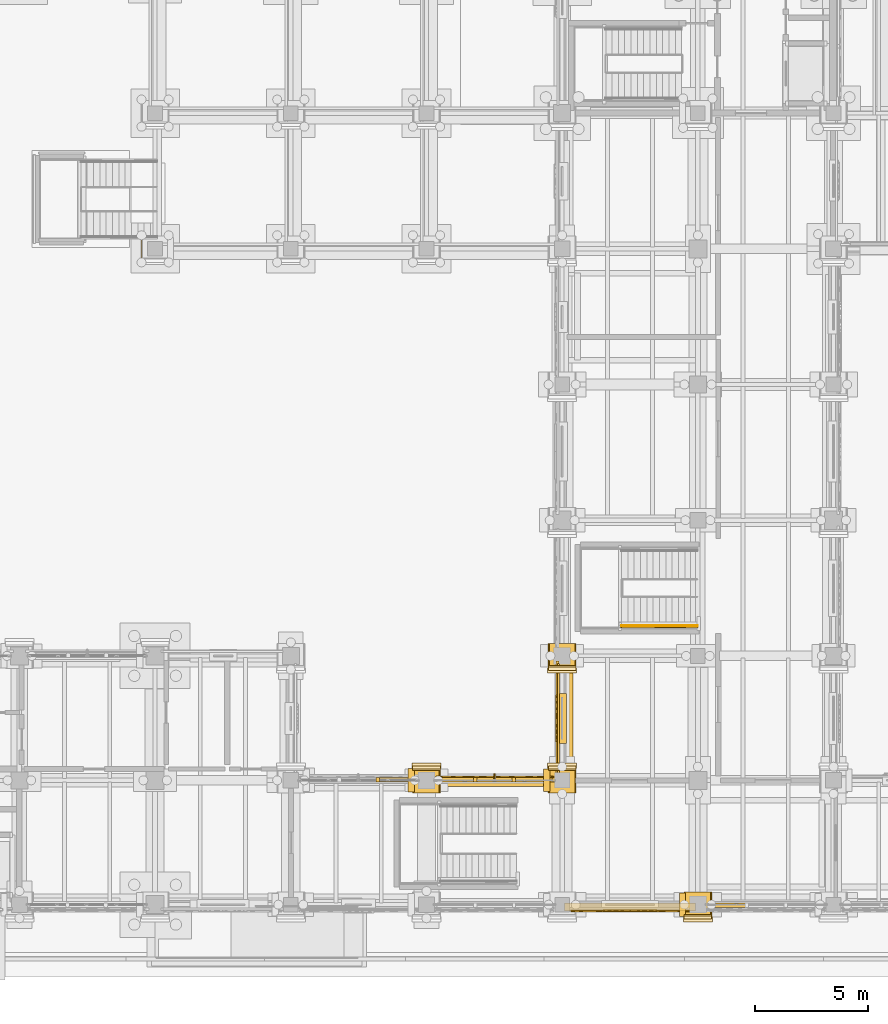
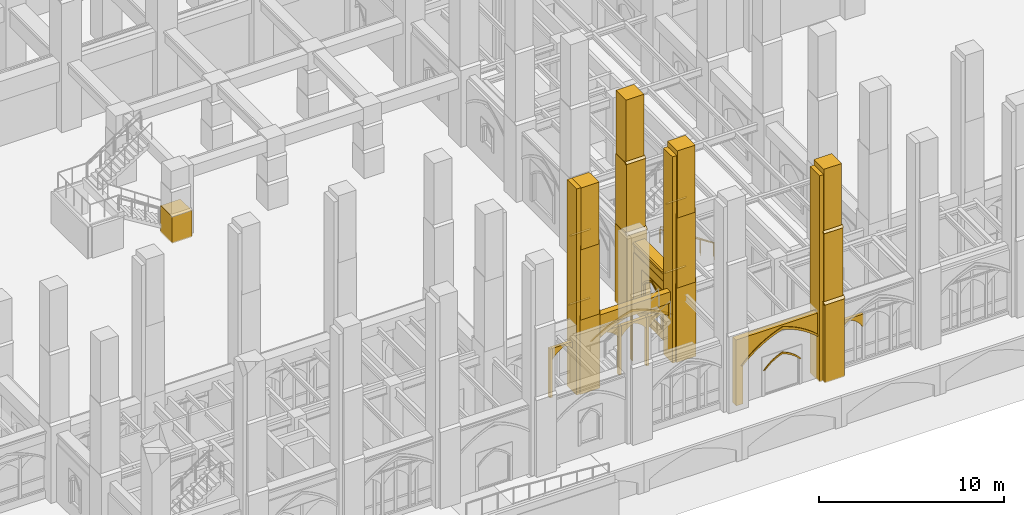
# One storey, part 83 of 135: 43 coverings, 2 railings, 1 shading device.
"""IFC4 building model written with IfcOpenShell, lengths in metres."""

from ifc_helpers import new_model, si_unit, direction, frame, origin, origin_2d, place, context, subcontext, project, spatial, polyline, rectangle, circle, outline, extrude, material, type_object, element, save


model = new_model("IFC4")

# Units and contexts
model_context = context("Model", 3, precision=1e-05, world=origin(), true_north=direction((0.0, 1.0)))
body_context = subcontext(model_context, "Body", "Model", "MODEL_VIEW")
ifc_project = project(units=[si_unit("LENGTHUNIT", "METRE"), si_unit("AREAUNIT", "SQUARE_METRE"), si_unit("VOLUMEUNIT", "CUBIC_METRE"), si_unit("PLANEANGLEUNIT", "RADIAN"), si_unit("MASSUNIT", "GRAM", prefix="KILO")], contexts=[model_context])

# Site, building, storey
site_placement = place(None, origin())
site = spatial("IfcSite", under=ifc_project, at=site_placement, CompositionType="ELEMENT")
building_placement = place(site_placement, origin())
building = spatial("IfcBuilding", under=site, at=building_placement, Name="Cumevento Cable Car Station", CompositionType="ELEMENT")
storey_placement = place(building_placement, origin())
storey = spatial("IfcBuildingStorey", under=building, at=storey_placement, Name="L01", CompositionType="ELEMENT", Elevation=0.0)

# Railings
ifc_material_1 = material(Name="Painted Galvanised Architectural Steel", Category="steel")
railing_type_1 = type_object("IfcRailingType", Name="Stair Guardrail GR-S115", PredefinedType="GUARDRAIL", material=ifc_material_1)
railing_1_placement = place(storey_placement, frame((63.97998046875, 16.260009765625, 0.0)))
element("IfcRailing", 1, at=railing_1_placement, inside=storey, type_object=railing_type_1, Name="Stair Outer Guardrail ST-09 F1", PredefinedType="GUARDRAIL", context=body_context, shape_type="SweptSolid", body=[
    extrude(circle(Radius=0.02392578125, at=origin_2d()), frame((0.0, 0.0, 1.1259765625), z_axis=(-0.830896709279, 0.0, 0.556426687452), x_axis=(0.0, -1.0, 0.0)), (0.0, 0.0, 1.0), 4.043701171875),
    extrude(circle(Radius=0.02001953125, at=origin_2d()), origin(), (0.0, 0.0, 1.0), 1.101806640625),
    extrude(circle(Radius=0.02001953125, at=origin_2d()), frame((-0.83984375, 0.0, 0.5625)), (0.0, 0.0, 1.0), 1.101806640625),
    extrude(circle(Radius=0.02001953125, at=origin_2d()), frame((-1.679931640625, 0.0, 1.125)), (0.0, 0.0, 1.0), 1.101806640625),
    extrude(circle(Radius=0.02001953125, at=origin_2d()), frame((-2.52001953125, 0.0, 1.6875)), (0.0, 0.0, 1.0), 1.101806640625),
    extrude(circle(Radius=0.02001953125, at=origin_2d()), frame((-3.35986328125, 0.0, 2.25)), (0.0, 0.0, 1.0), 1.101806640625),
])
ifc_material_2 = material(Name="Brushed Stainless Steel Handrail Tube", Category="steel")
railing_type_2 = type_object("IfcRailingType", Name="Stair Handrail HR-090", PredefinedType="HANDRAIL", material=ifc_material_2)
railing_2_placement = place(storey_placement, frame((63.97998046875, 16.340087890625, 0.17626953125)))
element("IfcRailing", 2, at=railing_2_placement, inside=storey, type_object=railing_type_2, Name="Stair Pitch Handrail ST-09 F1", PredefinedType="HANDRAIL", context=body_context, shape_type="SweptSolid", body=[
    extrude(circle(Radius=0.02099609375, at=origin_2d()), frame((0.0, 0.0, 0.87890625), z_axis=(-0.850606129759, 0.0, 0.525803396734), x_axis=(0.0, -1.0, 0.0)), (0.0, 0.0, 1.0), 3.949951171875),
    extrude(circle(Radius=0.01611328125, at=origin_2d()), origin(), (0.0, 0.0, 1.0), 0.85791015625),
    extrude(circle(Radius=0.01611328125, at=origin_2d()), frame((-0.83984375, 0.0, 0.519287109375)), (0.0, 0.0, 1.0), 0.85791015625),
    extrude(circle(Radius=0.01611328125, at=origin_2d()), frame((-1.679931640625, 0.0, 1.03857421875)), (0.0, 0.0, 1.0), 0.85791015625),
    extrude(circle(Radius=0.01611328125, at=origin_2d()), frame((-2.52001953125, 0.0, 1.5576171875)), (0.0, 0.0, 1.0), 0.85791015625),
    extrude(circle(Radius=0.01611328125, at=origin_2d()), frame((-3.35986328125, 0.0, 2.076904296875)), (0.0, 0.0, 1.0), 0.85791015625),
])

# Shading device
ifc_material_3 = material(Name="Anodised Bronze Aluminium AW-6063-T6", Category="aluminium")
shading_device_type = type_object("IfcShadingDeviceType", Name="Bronze Lancet Brise-Soleil BS-01", PredefinedType="JALOUSIE", material=ifc_material_3)
shading_device_placement = place(storey_placement, frame((55.012451171875, 9.679931640625, 0.52001953125), z_axis=(0.0, 0.0, 1.0), x_axis=(1.0, 0.0, 0.0)))
element("IfcShadingDevice", 3, at=shading_device_placement, inside=storey, type_object=shading_device_type, Name="Bronze Lancet Solar Fin #5", PredefinedType="JALOUSIE", context=body_context, shape_type="SweptSolid", body=[
    extrude(rectangle(XDim=0.054931640625, YDim=0.239990234375, at=origin_2d()), origin(), (0.0, 0.0, 1.0), 3.324951171875),
])

# Coverings
ifc_material_4 = material(Name="Gnaisse Facoidal Stone Ashlar 85 MPa", Category="masonry")
covering_type = type_object("IfcCoveringType", Name="Gnaisse Ashlar Cladding CV-CL01", PredefinedType="CLADDING", material=ifc_material_4)
covering_1_placement = place(storey_placement, frame((40.0, 32.93994140625, -0.06005859375), z_axis=(0.0, 0.0, 1.0), x_axis=(1.0, 0.0, 0.0)))
element("IfcCovering", 4, at=covering_1_placement, inside=storey, type_object=covering_type, Name="Stepped Gothic Stone Buttress Tier 1 bt:40.0:33.0", PredefinedType="CLADDING", context=body_context, shape_type="SweptSolid", body=[
    extrude(rectangle(XDim=1.239990234375, YDim=1.239990234375, at=origin_2d()), origin(), (0.0, 0.0, 1.0), 1.755615234375),
])
covering_2_placement = place(storey_placement, frame((52.0, 9.590087890625, -0.06005859375), z_axis=(0.0, 0.0, 1.0), x_axis=(-1.0, 0.0, 0.0)))
element("IfcCovering", 5, at=covering_2_placement, inside=storey, type_object=covering_type, Name="Stepped Gothic Stone Buttress Tier 1 bt:52.0:9.5", PredefinedType="CLADDING", context=body_context, shape_type="SweptSolid", body=[
    extrude(rectangle(XDim=1.239990234375, YDim=1.300048828125, at=origin_2d()), origin(), (0.0, 0.0, 1.0), 5.175537109375),
])
covering_3_placement = place(storey_placement, frame((52.639892578125, 10.260009765625, 5.095703125), z_axis=(0.0, 0.711135781079, 0.703054692658), x_axis=(-1.0, 0.0, 0.0)))
element("IfcCovering", 6, at=covering_3_placement, inside=storey, type_object=covering_type, Name="Gothic Buttress Sloped Stone Weathering 1 bt:52.0:9.5", PredefinedType="CLADDING", context=body_context, shape_type="SweptSolid", body=[
    extrude(outline(polyline([(0.0, 0.0), (1.27978515625, 0.0), (1.27978515625, 0.24169083397703695), (0.0, 0.24169083397703695), (0.0, 0.0)])), origin(), (0.0, 0.0, -1.0), 0.090087890625),
])
covering_4_placement = place(storey_placement, frame((52.0, 9.530029296875, 4.84326171875), z_axis=(0.0, 0.0, 1.0), x_axis=(-1.0, 0.0, 0.0)))
element("IfcCovering", 7, at=covering_4_placement, inside=storey, type_object=covering_type, Name="Stepped Gothic Stone Buttress Tier 2 bt:52.0:9.5", PredefinedType="CLADDING", context=body_context, shape_type="SweptSolid", body=[
    extrude(rectangle(XDim=1.179931640625, YDim=1.179931640625, at=origin_2d()), origin(), (0.0, 0.0, 1.0), 4.9033203125),
])
covering_5_placement = place(storey_placement, frame((52.610107421875, 10.139892578125, 9.726318359375), z_axis=(0.0, 0.714474823669, 0.699661151089), x_axis=(-1.0, 0.0, 0.0)))
element("IfcCovering", 8, at=covering_5_placement, inside=storey, type_object=covering_type, Name="Gothic Buttress Sloped Stone Weathering 2 bt:52.0:9.5", PredefinedType="CLADDING", context=body_context, shape_type="SweptSolid", body=[
    extrude(outline(polyline([(0.0, 0.0), (1.22021484375, 0.0), (1.22021484375, 0.21424991728737655), (0.0, 0.21424991728737655), (0.0, 0.0)])), origin(), (0.0, 0.0, -1.0), 0.090087890625),
])
covering_6_placement = place(storey_placement, frame((52.0, 9.47998046875, 9.47412109375), z_axis=(0.0, 0.0, 1.0), x_axis=(-1.0, 0.0, 0.0)))
element("IfcCovering", 9, at=covering_6_placement, inside=storey, type_object=covering_type, Name="Stepped Gothic Stone Buttress Tier 3 bt:52.0:9.5", PredefinedType="CLADDING", context=body_context, shape_type="SweptSolid", body=[
    extrude(rectangle(XDim=1.1201171875, YDim=1.080078125, at=origin_2d()), origin(), (0.0, 0.0, 1.0), 4.0859375),
])
covering_7_placement = place(storey_placement, frame((51.320068359375, 9.5, -0.06005859375), z_axis=(0.0, 0.0, 1.0), x_axis=(1.0, 0.0, 0.0)))
element("IfcCovering", 10, at=covering_7_placement, inside=storey, type_object=covering_type, Name="Corner Buttress Stone Return (52.0,9.5)", PredefinedType="CLADDING", context=body_context, shape_type="SweptSolid", body=[
    extrude(rectangle(XDim=0.280029296875, YDim=1.030029296875, at=origin_2d()), origin(), (0.0, 0.0, 1.0), 13.6201171875),
])
covering_8_placement = place(storey_placement, frame((58.0, 9.590087890625, -0.06005859375), z_axis=(0.0, 0.0, 1.0), x_axis=(-1.0, 0.0, 0.0)))
element("IfcCovering", 11, at=covering_8_placement, inside=storey, type_object=covering_type, Name="Stepped Gothic Stone Buttress Tier 1 bt:58.0:9.5", PredefinedType="CLADDING", context=body_context, shape_type="SweptSolid", body=[
    extrude(rectangle(XDim=1.239990234375, YDim=1.300048828125, at=origin_2d()), origin(), (0.0, 0.0, 1.0), 5.175537109375),
])
covering_9_placement = place(storey_placement, frame((58.639892578125, 10.260009765625, 5.095703125), z_axis=(0.0, 0.711135781079, 0.703054692658), x_axis=(-1.0, 0.0, 0.0)))
element("IfcCovering", 12, at=covering_9_placement, inside=storey, type_object=covering_type, Name="Gothic Buttress Sloped Stone Weathering 1 bt:58.0:9.5", PredefinedType="CLADDING", context=body_context, shape_type="SweptSolid", body=[
    extrude(outline(polyline([(0.0, 0.0), (1.27978515625, 0.0), (1.27978515625, 0.24169083397703695), (0.0, 0.24169083397703695), (0.0, 0.0)])), origin(), (0.0, 0.0, -1.0), 0.090087890625),
])
covering_10_placement = place(storey_placement, frame((58.0, 9.530029296875, 4.84326171875), z_axis=(0.0, 0.0, 1.0), x_axis=(-1.0, 0.0, 0.0)))
element("IfcCovering", 13, at=covering_10_placement, inside=storey, type_object=covering_type, Name="Stepped Gothic Stone Buttress Tier 2 bt:58.0:9.5", PredefinedType="CLADDING", context=body_context, shape_type="SweptSolid", body=[
    extrude(rectangle(XDim=1.179931640625, YDim=1.179931640625, at=origin_2d()), origin(), (0.0, 0.0, 1.0), 4.9033203125),
])
covering_11_placement = place(storey_placement, frame((58.610107421875, 10.139892578125, 9.726318359375), z_axis=(0.0, 0.714474823669, 0.699661151089), x_axis=(-1.0, 0.0, 0.0)))
element("IfcCovering", 14, at=covering_11_placement, inside=storey, type_object=covering_type, Name="Gothic Buttress Sloped Stone Weathering 2 bt:58.0:9.5", PredefinedType="CLADDING", context=body_context, shape_type="SweptSolid", body=[
    extrude(outline(polyline([(0.0, 0.0), (1.22021484375, 0.0), (1.22021484375, 0.21424991728737655), (0.0, 0.21424991728737655), (0.0, 0.0)])), origin(), (0.0, 0.0, -1.0), 0.090087890625),
])
covering_12_placement = place(storey_placement, frame((58.0, 9.47998046875, 9.47412109375), z_axis=(0.0, 0.0, 1.0), x_axis=(-1.0, 0.0, 0.0)))
element("IfcCovering", 15, at=covering_12_placement, inside=storey, type_object=covering_type, Name="Stepped Gothic Stone Buttress Tier 3 bt:58.0:9.5", PredefinedType="CLADDING", context=body_context, shape_type="SweptSolid", body=[
    extrude(rectangle(XDim=1.1201171875, YDim=1.080078125, at=origin_2d()), origin(), (0.0, 0.0, 1.0), 4.426025390625),
])
covering_13_placement = place(storey_placement, frame((57.320068359375, 9.5, -0.06005859375), z_axis=(0.0, 0.0, 1.0), x_axis=(1.0, 0.0, 0.0)))
element("IfcCovering", 16, at=covering_13_placement, inside=storey, type_object=covering_type, Name="Corner Buttress Stone Return (58.0,9.5)", PredefinedType="CLADDING", context=body_context, shape_type="SweptSolid", body=[
    extrude(rectangle(XDim=0.280029296875, YDim=0.97998046875, at=origin_2d()), origin(), (0.0, 0.0, 1.0), 13.6201171875),
])
covering_14_placement = place(storey_placement, frame((58.0, 14.909912109375, -0.06005859375), z_axis=(0.0, 0.0, 1.0), x_axis=(1.0, 0.0, 0.0)))
element("IfcCovering", 17, at=covering_14_placement, inside=storey, type_object=covering_type, Name="Stepped Gothic Stone Buttress Tier 1 bt:58.0:15.0", PredefinedType="CLADDING", context=body_context, shape_type="SweptSolid", body=[
    extrude(rectangle(XDim=1.239990234375, YDim=1.300048828125, at=origin_2d()), origin(), (0.0, 0.0, 1.0), 5.175537109375),
])
covering_15_placement = place(storey_placement, frame((57.360107421875, 14.239990234375, 5.095703125), z_axis=(0.0, -0.711135781079, 0.703054692658), x_axis=(1.0, 0.0, 0.0)))
element("IfcCovering", 18, at=covering_15_placement, inside=storey, type_object=covering_type, Name="Gothic Buttress Sloped Stone Weathering 1 bt:58.0:15.0", PredefinedType="CLADDING", context=body_context, shape_type="SweptSolid", body=[
    extrude(outline(polyline([(0.0, 0.0), (1.27978515625, 0.0), (1.27978515625, 0.24169083397703695), (0.0, 0.24169083397703695), (0.0, 0.0)])), origin(), (0.0, 0.0, -1.0), 0.090087890625),
])
covering_16_placement = place(storey_placement, frame((58.0, 14.969970703125, 4.84326171875), z_axis=(0.0, 0.0, 1.0), x_axis=(1.0, 0.0, 0.0)))
element("IfcCovering", 19, at=covering_16_placement, inside=storey, type_object=covering_type, Name="Stepped Gothic Stone Buttress Tier 2 bt:58.0:15.0", PredefinedType="CLADDING", context=body_context, shape_type="SweptSolid", body=[
    extrude(rectangle(XDim=1.179931640625, YDim=1.179931640625, at=origin_2d()), origin(), (0.0, 0.0, 1.0), 4.9033203125),
])
covering_17_placement = place(storey_placement, frame((57.389892578125, 14.360107421875, 9.726318359375), z_axis=(0.0, -0.714474823669, 0.699661151089), x_axis=(1.0, 0.0, 0.0)))
element("IfcCovering", 20, at=covering_17_placement, inside=storey, type_object=covering_type, Name="Gothic Buttress Sloped Stone Weathering 2 bt:58.0:15.0", PredefinedType="CLADDING", context=body_context, shape_type="SweptSolid", body=[
    extrude(outline(polyline([(0.0, 0.0), (1.22021484375, 0.0), (1.22021484375, 0.21424991728737655), (0.0, 0.21424991728737655), (0.0, 0.0)])), origin(), (0.0, 0.0, -1.0), 0.090087890625),
])
covering_18_placement = place(storey_placement, frame((58.0, 15.02001953125, 9.47412109375), z_axis=(0.0, 0.0, 1.0), x_axis=(1.0, 0.0, 0.0)))
element("IfcCovering", 21, at=covering_18_placement, inside=storey, type_object=covering_type, Name="Stepped Gothic Stone Buttress Tier 3 bt:58.0:15.0", PredefinedType="CLADDING", context=body_context, shape_type="SweptSolid", body=[
    extrude(rectangle(XDim=1.1201171875, YDim=1.080078125, at=origin_2d()), origin(), (0.0, 0.0, 1.0), 4.426025390625),
])
covering_19_placement = place(storey_placement, frame((64.0, 3.909912109375, -0.06005859375), z_axis=(0.0, 0.0, 1.0), x_axis=(1.0, 0.0, 0.0)))
element("IfcCovering", 22, at=covering_19_placement, inside=storey, type_object=covering_type, Name="Stepped Gothic Stone Buttress Tier 1 bt:64.0:4.0", PredefinedType="CLADDING", context=body_context, shape_type="SweptSolid", body=[
    extrude(rectangle(XDim=1.239990234375, YDim=1.300048828125, at=origin_2d()), origin(), (0.0, 0.0, 1.0), 5.175537109375),
])
covering_20_placement = place(storey_placement, frame((63.360107421875, 3.239990234375, 5.095703125), z_axis=(0.0, -0.711135781079, 0.703054692658), x_axis=(1.0, 0.0, 0.0)))
element("IfcCovering", 23, at=covering_20_placement, inside=storey, type_object=covering_type, Name="Gothic Buttress Sloped Stone Weathering 1 bt:64.0:4.0", PredefinedType="CLADDING", context=body_context, shape_type="SweptSolid", body=[
    extrude(outline(polyline([(0.0, 0.0), (1.27978515625, 0.0), (1.27978515625, 0.24169083397703695), (0.0, 0.24169083397703695), (0.0, 0.0)])), origin(), (0.0, 0.0, -1.0), 0.090087890625),
])
covering_21_placement = place(storey_placement, frame((64.0, 3.969970703125, 4.84326171875), z_axis=(0.0, 0.0, 1.0), x_axis=(1.0, 0.0, 0.0)))
element("IfcCovering", 24, at=covering_21_placement, inside=storey, type_object=covering_type, Name="Stepped Gothic Stone Buttress Tier 2 bt:64.0:4.0", PredefinedType="CLADDING", context=body_context, shape_type="SweptSolid", body=[
    extrude(rectangle(XDim=1.179931640625, YDim=1.179931640625, at=origin_2d()), origin(), (0.0, 0.0, 1.0), 4.9033203125),
])
covering_22_placement = place(storey_placement, frame((63.389892578125, 3.360107421875, 9.726318359375), z_axis=(0.0, -0.714474823669, 0.699661151089), x_axis=(1.0, 0.0, 0.0)))
element("IfcCovering", 25, at=covering_22_placement, inside=storey, type_object=covering_type, Name="Gothic Buttress Sloped Stone Weathering 2 bt:64.0:4.0", PredefinedType="CLADDING", context=body_context, shape_type="SweptSolid", body=[
    extrude(outline(polyline([(0.0, 0.0), (1.22021484375, 0.0), (1.22021484375, 0.21424991728737655), (0.0, 0.21424991728737655), (0.0, 0.0)])), origin(), (0.0, 0.0, -1.0), 0.090087890625),
])
covering_23_placement = place(storey_placement, frame((64.0, 4.02001953125, 9.47412109375), z_axis=(0.0, 0.0, 1.0), x_axis=(1.0, 0.0, 0.0)))
element("IfcCovering", 26, at=covering_23_placement, inside=storey, type_object=covering_type, Name="Stepped Gothic Stone Buttress Tier 3 bt:64.0:4.0", PredefinedType="CLADDING", context=body_context, shape_type="SweptSolid", body=[
    extrude(rectangle(XDim=1.1201171875, YDim=1.080078125, at=origin_2d()), origin(), (0.0, 0.0, 1.0), 4.426025390625),
])
covering_24_placement = place(storey_placement, frame((63.320068359375, 4.0, -0.06005859375), z_axis=(0.0, 0.0, 1.0), x_axis=(1.0, 0.0, 0.0)))
element("IfcCovering", 27, at=covering_24_placement, inside=storey, type_object=covering_type, Name="Corner Buttress Stone Return (64.0,4.0)", PredefinedType="CLADDING", context=body_context, shape_type="SweptSolid", body=[
    extrude(rectangle(XDim=0.280029296875, YDim=1.030029296875, at=origin_2d()), origin(), (0.0, 0.0, 1.0), 13.6201171875),
])
covering_25_placement = place(storey_placement, frame((55.012451171875, 9.409912109375, 3.784912109375), z_axis=(0.0, 0.0, 1.0), x_axis=(1.0, 0.0, 0.0)))
element("IfcCovering", 28, at=covering_25_placement, inside=storey, type_object=covering_type, Name="Gothic Stone Spandrel Stringcourse sc:0019", PredefinedType="CLADDING", context=body_context, shape_type="SweptSolid", body=[
    extrude(rectangle(XDim=5.3349609375, YDim=0.3798828125, at=origin_2d()), origin(), (0.0, 0.0, 1.0), 0.7470703125),
])
covering_26_placement = place(storey_placement, frame((58.14990234375, 12.237548828125, 3.784912109375), z_axis=(0.0, 0.0, 1.0), x_axis=(0.0, 1.0, 0.0)))
element("IfcCovering", 29, at=covering_26_placement, inside=storey, type_object=covering_type, Name="Gothic Stone Spandrel Stringcourse sc:0030", PredefinedType="CLADDING", context=body_context, shape_type="SweptSolid", body=[
    extrude(rectangle(XDim=5.014892578125, YDim=0.659912109375, at=origin_2d()), origin(), (0.0, 0.0, 1.0), 0.7470703125),
])
covering_27_placement = place(storey_placement, frame((57.79248046875, 12.237548828125, 4.402099609375), z_axis=(0.0, 0.0, 1.0), x_axis=(0.0, 1.0, 0.0)))
element("IfcCovering", 30, at=covering_27_placement, inside=storey, type_object=covering_type, Name="Gothic Cornice Dripstone Lip sc:0030", PredefinedType="CLADDING", context=body_context, shape_type="SweptSolid", body=[
    extrude(rectangle(XDim=5.054931640625, YDim=0.114990234375, at=origin_2d()), origin(), (0.0, 0.0, 1.0), 0.1298828125),
])
covering_28_placement = place(storey_placement, frame((46.35009765625, 9.5, 0.0), z_axis=(0.0, 0.0, 1.0), x_axis=(1.0, 0.0, 0.0)))
element("IfcCovering", 31, at=covering_28_placement, inside=storey, type_object=covering_type, Name="Gothic Bifora Stone Colonnette cw_ogival:0005 #2", PredefinedType="CLADDING", context=body_context, shape_type="SweptSolid", body=[
    extrude(outline(polyline([(3.413330078125, -0.02001953125), (3.563232421875, -0.02001953125), (3.563232421875, 3.208984375), (3.413330078125, 3.208984375), (3.413330078125, -0.02001953125)])), frame((0.0, 0.1279296875, 0.0), z_axis=(0.0, -1.0, 0.0), x_axis=(1.0, 0.0, 0.0)), (0.0, 0.0, 1.0), 0.205078125),
])
covering_29_placement = place(storey_placement, frame((49.88330078125, 9.5, 2.44384765625), z_axis=(0.0, 0.0, 1.0), x_axis=(1.0, 0.0, 0.0)))
element("IfcCovering", 32, at=covering_29_placement, inside=storey, type_object=covering_type, Name="Gothic Ogival Pointed-Arch Stone Spandrel cw_ogival:0005:sub:2", PredefinedType="CLADDING", context=body_context, shape_type="SweptSolid", body=[
    extrude(outline(polyline([(-0.02001953125, 0.0), (-0.02001953125, 0.76513671875), (1.631591796875, 0.76513671875), (1.631591796875, 0.0), (1.57177734375, 0.0), (1.475341796875, 0.139892578125), (1.36474609375, 0.2685546875), (1.240966796875, 0.384765625), (1.10546875, 0.487060546875), (0.9599609375, 0.573974609375), (0.805908203125, 0.64501953125), (0.651611328125, 0.573974609375), (0.506103515625, 0.487060546875), (0.37060546875, 0.384765625), (0.246826171875, 0.2685546875), (0.13623046875, 0.139892578125), (0.0400390625, 0.0), (-0.02001953125, 0.0)])), frame((0.0, 0.1240234375, 0.0), z_axis=(0.0, -1.0, 0.0), x_axis=(1.0, 0.0, 0.0)), (0.0, 0.0, 1.0), 0.199951171875),
])
placement = place(storey_placement, frame((52.375, 9.5, 0.0), z_axis=(0.0, 0.0, 1.0), x_axis=(1.0, 0.0, 0.0)))
element("IfcCovering", 33, at=placement, inside=storey, type_object=covering_type, Name="Gothic Ogival Pointed-Arch Stone Spandrel cw_ogival:0007", PredefinedType="CLADDING", context=body_context, shape_type="SweptSolid", body=[
    extrude(outline(polyline([(-0.080078125, 0.0), (-0.080078125, 3.925048828125), (5.35498046875, 3.925048828125), (5.35498046875, 0.0), (5.114990234375, 0.0), (5.114990234375, 2.64794921875), (4.829833984375, 2.832763671875), (4.536376953125, 3.00390625), (4.2353515625, 3.160888671875), (3.927001953125, 3.3037109375), (3.612548828125, 3.431640625), (3.292236328125, 3.544677734375), (2.967041015625, 3.642578125), (2.637451171875, 3.724853515625), (2.307861328125, 3.642578125), (1.982666015625, 3.544677734375), (1.662353515625, 3.431640625), (1.347900390625, 3.3037109375), (1.03955078125, 3.160888671875), (0.738525390625, 3.00390625), (0.445068359375, 2.832763671875), (0.159912109375, 2.64794921875), (0.159912109375, 0.0), (-0.080078125, 0.0)])), frame((0.0, 0.139892578125, 0.0), z_axis=(0.0, -1.0, 0.0), x_axis=(1.0, 0.0, 0.0)), (0.0, 0.0, 1.0), 0.219970703125),
])
covering_31_placement = place(storey_placement, frame((52.375, 9.5, 2.64794921875), z_axis=(0.0, 0.0, 1.0), x_axis=(1.0, 0.0, 0.0)))
element("IfcCovering", 34, at=covering_31_placement, inside=storey, type_object=covering_type, Name="Gothic Pointed Archivolt Hood Moulding cw_ogival:0007", PredefinedType="CLADDING", context=body_context, shape_type="SweptSolid", body=[
    extrude(outline(polyline([(0.159912109375, 0.0), (0.445068359375, 0.184814453125), (0.738525390625, 0.35595703125), (1.03955078125, 0.512939453125), (1.347900390625, 0.65576171875), (1.662353515625, 0.78369140625), (1.982666015625, 0.896728515625), (2.307861328125, 0.99462890625), (2.637451171875, 1.076904296875), (2.967041015625, 0.99462890625), (3.292236328125, 0.896728515625), (3.612548828125, 0.78369140625), (3.927001953125, 0.65576171875), (4.2353515625, 0.512939453125), (4.536376953125, 0.35595703125), (4.829833984375, 0.184814453125), (5.114990234375, 0.0), (5.22509765625, 0.0), (4.93115234375, 0.207763671875), (4.62744140625, 0.400146484375), (4.314208984375, 0.577392578125), (3.99267578125, 0.73828125), (3.663330078125, 0.8828125), (3.3271484375, 1.010498046875), (2.98486328125, 1.121337890625), (2.637451171875, 1.214599609375), (2.2900390625, 1.121337890625), (1.94775390625, 1.010498046875), (1.611572265625, 0.8828125), (1.2822265625, 0.73828125), (0.960693359375, 0.577392578125), (0.6474609375, 0.400146484375), (0.34375, 0.207763671875), (0.050048828125, 0.0), (0.159912109375, 0.0)])), frame((0.0, 0.181884765625, 0.0), z_axis=(0.0, -1.0, 0.0), x_axis=(1.0, 0.0, 0.0)), (0.0, 0.0, 1.0), 0.06689453125),
])
element("IfcCovering", 35, at=placement, inside=storey, type_object=covering_type, Name="Gothic Bifora Stone Colonnette cw_ogival:0007 #1", PredefinedType="CLADDING", context=body_context, shape_type="SweptSolid", body=[
    extrude(outline(polyline([(1.711669921875, -0.02001953125), (1.861572265625, -0.02001953125), (1.861572265625, 3.2080078125), (1.711669921875, 3.2080078125), (1.711669921875, -0.02001953125)])), frame((0.0, 0.1279296875, 0.0), z_axis=(0.0, -1.0, 0.0), x_axis=(1.0, 0.0, 0.0)), (0.0, 0.0, 1.0), 0.205078125),
])
element("IfcCovering", 36, at=placement, inside=storey, type_object=covering_type, Name="Gothic Bifora Stone Colonnette cw_ogival:0007 #2", PredefinedType="CLADDING", context=body_context, shape_type="SweptSolid", body=[
    extrude(outline(polyline([(3.413330078125, -0.02001953125), (3.563232421875, -0.02001953125), (3.563232421875, 3.2080078125), (3.413330078125, 3.2080078125), (3.413330078125, -0.02001953125)])), frame((0.0, 0.1279296875, 0.0), z_axis=(0.0, -1.0, 0.0), x_axis=(1.0, 0.0, 0.0)), (0.0, 0.0, 1.0), 0.205078125),
])
for number, where, z_axis, x_axis, name in (
    (37, (52.5048828125, 9.5, 2.468017578125), (0.0, 0.0, 1.0), (1.0, 0.0, 0.0), "Gothic Ogival Pointed-Arch Stone Spandrel cw_ogival:0007:sub:0"),
    (38, (54.206787109375, 9.5, 2.468017578125), (0.0, 0.0, 1.0), (1.0, 0.0, 0.0), "Gothic Ogival Pointed-Arch Stone Spandrel cw_ogival:0007:sub:1"),
    (39, (55.908447265625, 9.5, 2.468017578125), (0.0, 0.0, 1.0), (1.0, 0.0, 0.0), "Gothic Ogival Pointed-Arch Stone Spandrel cw_ogival:0007:sub:2"),
):
    element("IfcCovering", number, at=place(storey_placement, frame(where, z_axis=z_axis, x_axis=x_axis)), inside=storey, type_object=covering_type, Name=name, PredefinedType="CLADDING", context=body_context, shape_type="SweptSolid", body=[
        extrude(outline(polyline([(-0.02001953125, 0.0), (-0.02001953125, 0.739990234375), (1.631591796875, 0.739990234375), (1.631591796875, 0.0), (1.57177734375, 0.0), (1.473388671875, 0.135009765625), (1.361572265625, 0.2587890625), (1.237548828125, 0.370361328125), (1.1025390625, 0.468505859375), (0.9580078125, 0.552001953125), (0.805908203125, 0.6201171875), (0.653564453125, 0.552001953125), (0.509033203125, 0.468505859375), (0.3740234375, 0.370361328125), (0.25, 0.2587890625), (0.13818359375, 0.135009765625), (0.0400390625, 0.0), (-0.02001953125, 0.0)])), frame((0.0, 0.1240234375, 0.0), z_axis=(0.0, -1.0, 0.0), x_axis=(1.0, 0.0, 0.0)), (0.0, 0.0, 1.0), 0.199951171875),
    ])
covering_34_placement = place(storey_placement, frame((66.125, 4.0, 2.353759765625), z_axis=(0.0, 0.0, 1.0), x_axis=(-1.0, 0.0, 0.0)))
element("IfcCovering", 40, at=covering_34_placement, inside=storey, type_object=covering_type, Name="Gothic Ogival Pointed-Arch Stone Spandrel cw_ogival:0008:sub:2", PredefinedType="CLADDING", context=body_context, shape_type="SweptSolid", body=[
    extrude(outline(polyline([(-0.02001953125, 0.0), (-0.02001953125, 0.81201171875), (1.639892578125, 0.81201171875), (1.639892578125, 0.0), (1.580078125, 0.0), (1.487060546875, 0.149169921875), (1.3779296875, 0.286865234375), (1.25390625, 0.411376953125), (1.11669921875, 0.521240234375), (0.96826171875, 0.615234375), (0.81005859375, 0.69189453125), (0.65185546875, 0.615234375), (0.50341796875, 0.521240234375), (0.3662109375, 0.411376953125), (0.2421875, 0.286865234375), (0.133056640625, 0.149169921875), (0.0400390625, 0.0), (-0.02001953125, 0.0)])), frame((0.0, 0.1240234375, 0.0), z_axis=(0.0, -1.0, 0.0), x_axis=(1.0, 0.0, 0.0)), (0.0, 0.0, 1.0), 0.199951171875),
])
covering_35_placement = place(storey_placement, frame((62.215087890625, 4.0, 1.713623046875), z_axis=(0.0, 0.0, 1.0), x_axis=(-1.0, 0.0, 0.0)))
element("IfcCovering", 41, at=covering_35_placement, inside=storey, type_object=covering_type, Name="Gothic Pointed Archivolt Hood Moulding op_ogival:0118:1", PredefinedType="CLADDING", context=body_context, shape_type="SweptSolid", body=[
    extrude(outline(polyline([(0.139892578125, 0.0), (0.26806640625, 0.134765625), (0.40625, 0.25927734375), (0.55322265625, 0.373046875), (0.708740234375, 0.47509765625), (0.871337890625, 0.56494140625), (1.04052734375, 0.642333984375), (1.215087890625, 0.706298828125), (1.389404296875, 0.642333984375), (1.55859375, 0.56494140625), (1.72119140625, 0.47509765625), (1.876708984375, 0.373046875), (2.023681640625, 0.25927734375), (2.161865234375, 0.134765625), (2.2900390625, 0.0), (2.388916015625, 0.0), (2.2529296875, 0.157470703125), (2.1044921875, 0.303466796875), (1.94482421875, 0.43701171875), (1.77490234375, 0.55712890625), (1.595703125, 0.6630859375), (1.40869140625, 0.75439453125), (1.215087890625, 0.830078125), (1.021240234375, 0.75439453125), (0.834228515625, 0.6630859375), (0.655029296875, 0.55712890625), (0.485107421875, 0.43701171875), (0.325439453125, 0.303466796875), (0.177001953125, 0.157470703125), (0.041015625, 0.0), (0.139892578125, 0.0)])), frame((0.0, 0.280029296875, 0.0), z_axis=(0.0, -1.0, 0.0), x_axis=(1.0, 0.0, 0.0)), (0.0, 0.0, 1.0), 0.06689453125),
])
covering_36_placement = place(storey_placement, frame((58.0, 9.85009765625, 0.0), z_axis=(0.0, 0.0, 1.0), x_axis=(0.0, 1.0, 0.0)))
element("IfcCovering", 42, at=covering_36_placement, inside=storey, type_object=covering_type, Name="Exterior Gnaisse Stone Wall Ashlar #126", PredefinedType="CLADDING", context=body_context, shape_type="SweptSolid", body=[
    extrude(outline(polyline([(-0.0400390625, -0.02001953125), (4.81494140625, -0.02001953125), (4.81494140625, 3.864990234375), (-0.0400390625, 3.864990234375), (-0.0400390625, -0.02001953125)]), holes=[polyline([(1.472412109375, 0.7099609375), (3.302490234375, 0.7099609375), (3.302490234375, 3.0400390625), (1.472412109375, 3.0400390625), (1.472412109375, 0.7099609375)])]), frame((0.0, 0.20751953125, 0.0), z_axis=(0.0, -1.0, 0.0), x_axis=(1.0, 0.0, 0.0)), (0.0, 0.0, 1.0), 0.0849609375),
])
covering_37_placement = place(storey_placement, frame((58.0, 11.172607421875, 0.64990234375), z_axis=(0.0, 0.0, 1.0), x_axis=(0.0, 1.0, 0.0)))
element("IfcCovering", 43, at=covering_37_placement, inside=storey, type_object=covering_type, Name="Gothic Ogival Pointed-Arch Stone Spandrel op_ogival:0126:1", PredefinedType="CLADDING", context=body_context, shape_type="SweptSolid", body=[
    extrude(outline(polyline([(-0.0400390625, 0.0), (-0.0400390625, 2.6201171875), (2.169921875, 2.6201171875), (2.169921875, 0.0), (1.989990234375, 0.0), (1.989990234375, 1.741943359375), (1.8857421875, 1.87353515625), (1.7705078125, 1.99609375), (1.6455078125, 2.108154296875), (1.511474609375, 2.20947265625), (1.369384765625, 2.298828125), (1.22021484375, 2.375732421875), (1.06494140625, 2.43994140625), (0.90966796875, 2.375732421875), (0.760498046875, 2.298828125), (0.618408203125, 2.20947265625), (0.484375, 2.108154296875), (0.359375, 1.99609375), (0.244140625, 1.87353515625), (0.139892578125, 1.741943359375), (0.139892578125, 0.0), (-0.0400390625, 0.0)])), frame((0.0, 0.24560546875, 0.0), z_axis=(0.0, -1.0, 0.0), x_axis=(1.0, 0.0, 0.0)), (0.0, 0.0, 1.0), 0.445068359375),
])
covering_38_placement = place(storey_placement, frame((58.0, 11.172607421875, 2.39208984375), z_axis=(0.0, 0.0, 1.0), x_axis=(0.0, 1.0, 0.0)))
element("IfcCovering", 44, at=covering_38_placement, inside=storey, type_object=covering_type, Name="Gothic Pointed Archivolt Hood Moulding op_ogival:0126:1", PredefinedType="CLADDING", context=body_context, shape_type="SweptSolid", body=[
    extrude(outline(polyline([(0.139892578125, 0.0), (0.244140625, 0.131591796875), (0.359375, 0.254150390625), (0.484375, 0.3662109375), (0.618408203125, 0.467529296875), (0.760498046875, 0.556884765625), (0.90966796875, 0.6337890625), (1.06494140625, 0.697998046875), (1.22021484375, 0.6337890625), (1.369384765625, 0.556884765625), (1.511474609375, 0.467529296875), (1.6455078125, 0.3662109375), (1.7705078125, 0.254150390625), (1.8857421875, 0.131591796875), (1.989990234375, 0.0), (2.089111328125, 0.0), (1.97705078125, 0.154296875), (1.851806640625, 0.2978515625), (1.71435546875, 0.429931640625), (1.565673828125, 0.549072265625), (1.406982421875, 0.65478515625), (1.23974609375, 0.745849609375), (1.06494140625, 0.82177734375), (0.89013671875, 0.745849609375), (0.722900390625, 0.65478515625), (0.564208984375, 0.549072265625), (0.41552734375, 0.429931640625), (0.278076171875, 0.2978515625), (0.15283203125, 0.154296875), (0.041015625, 0.0), (0.139892578125, 0.0)])), frame((0.0, 0.28759765625, 0.0), z_axis=(0.0, -1.0, 0.0), x_axis=(1.0, 0.0, 0.0)), (0.0, 0.0, 1.0), 0.06689453125),
])
covering_39_placement = place(storey_placement, frame((63.64990234375, 4.0, 0.0), z_axis=(0.0, 0.0, 1.0), x_axis=(-1.0, 0.0, 0.0)))
element("IfcCovering", 45, at=covering_39_placement, inside=storey, type_object=covering_type, Name="Gothic Ogival Pointed-Arch Stone Spandrel south_arcade:05", PredefinedType="CLADDING", context=body_context, shape_type="SweptSolid", body=[
    extrude(outline(polyline([(-0.25, 0.0), (-0.25, 4.35009765625), (5.550048828125, 4.35009765625), (5.550048828125, 0.0), (5.1201171875, 0.0), (5.1201171875, 2.550048828125), (4.85791015625, 2.80615234375), (4.580078125, 3.044921875), (4.287841796875, 3.265869140625), (3.98193359375, 3.467529296875), (3.6640625, 3.649658203125), (3.335205078125, 3.81103515625), (2.996826171875, 3.951416015625), (2.64990234375, 4.070068359375), (2.30322265625, 3.951416015625), (1.96484375, 3.81103515625), (1.635986328125, 3.649658203125), (1.318115234375, 3.467529296875), (1.01220703125, 3.265869140625), (0.719970703125, 3.044921875), (0.442138671875, 2.80615234375), (0.179931640625, 2.550048828125), (0.179931640625, 0.0), (-0.25, 0.0)])), frame((0.0, 0.280029296875, 0.0), z_axis=(0.0, -1.0, 0.0), x_axis=(1.0, 0.0, 0.0)), (0.0, 0.0, 1.0), 0.360107421875),
])
covering_40_placement = place(storey_placement, frame((63.64990234375, 4.0, 2.550048828125), z_axis=(0.0, 0.0, 1.0), x_axis=(-1.0, 0.0, 0.0)))
element("IfcCovering", 46, at=covering_40_placement, inside=storey, type_object=covering_type, Name="Gothic Pointed Archivolt Hood Moulding south_arcade:05", PredefinedType="CLADDING", context=body_context, shape_type="SweptSolid", body=[
    extrude(outline(polyline([(0.179931640625, 0.0), (0.442138671875, 0.256103515625), (0.719970703125, 0.494873046875), (1.01220703125, 0.7158203125), (1.318115234375, 0.91748046875), (1.635986328125, 1.099609375), (1.96484375, 1.260986328125), (2.30322265625, 1.4013671875), (2.64990234375, 1.52001953125), (2.996826171875, 1.4013671875), (3.335205078125, 1.260986328125), (3.6640625, 1.099609375), (3.98193359375, 0.91748046875), (4.287841796875, 0.7158203125), (4.580078125, 0.494873046875), (4.85791015625, 0.256103515625), (5.1201171875, 0.0), (5.260009765625, 0.0), (4.988037109375, 0.284423828125), (4.697998046875, 0.55029296875), (4.390625, 0.796142578125), (4.06787109375, 1.021484375), (3.73095703125, 1.224609375), (3.38134765625, 1.4052734375), (3.0205078125, 1.562255859375), (2.64990234375, 1.695068359375), (2.279541015625, 1.562255859375), (1.918701171875, 1.4052734375), (1.569091796875, 1.224609375), (1.232177734375, 1.021484375), (0.909423828125, 0.796142578125), (0.60205078125, 0.55029296875), (0.31201171875, 0.284423828125), (0.0400390625, 0.0), (0.179931640625, 0.0)])), frame((0.0, 0.322021484375, 0.0), z_axis=(0.0, -1.0, 0.0), x_axis=(1.0, 0.0, 0.0)), (0.0, 0.0, 1.0), 0.06689453125),
])

save(model, "model.ifc")
